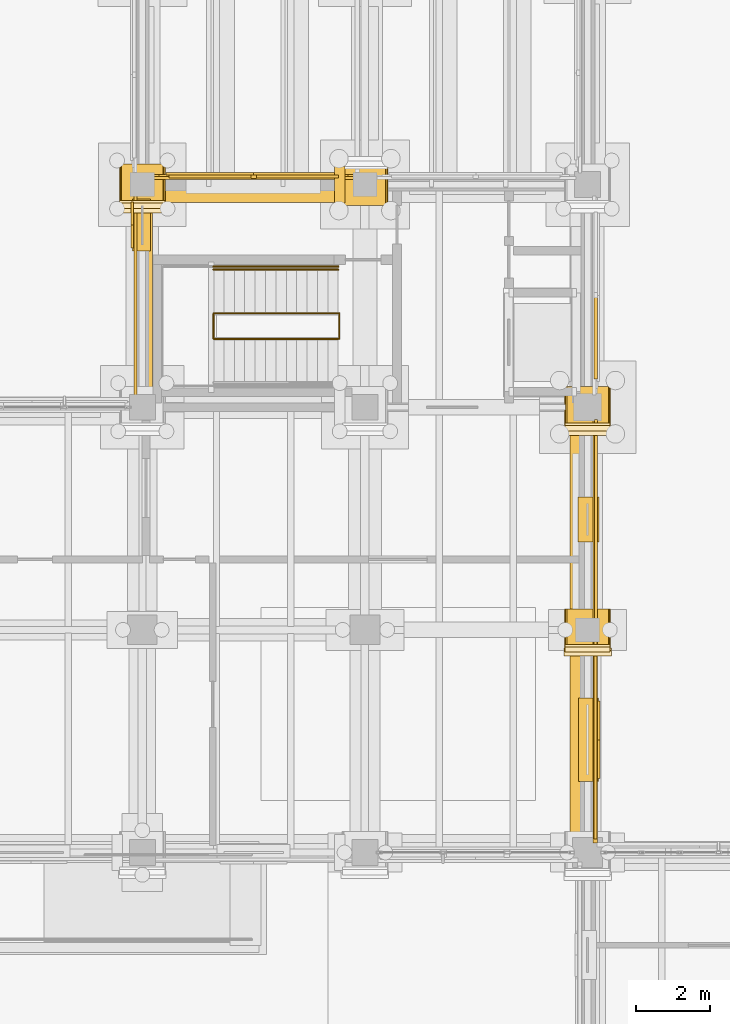
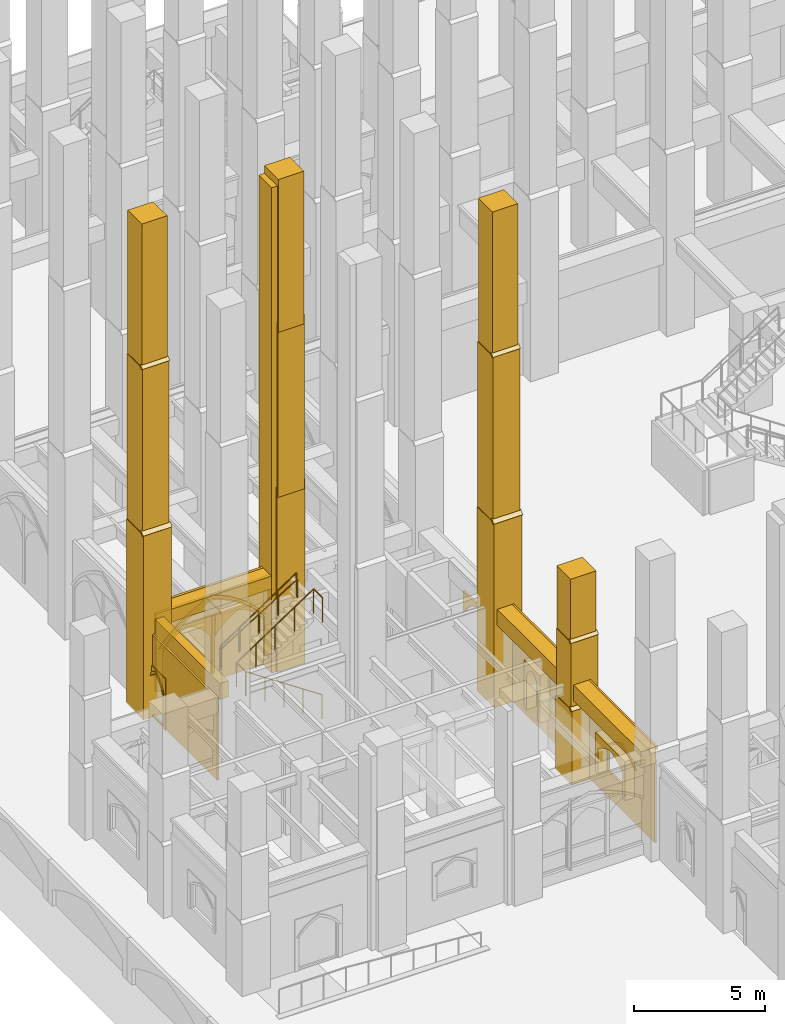
# One storey, part 78 of 135: 41 coverings, 3 railings.
"""IFC4 building model written with IfcOpenShell, lengths in metres."""

from ifc_helpers import new_model, si_unit, direction, frame, origin, origin_2d, place, context, subcontext, project, spatial, polyline, rectangle, circle, outline, extrude, material, type_object, element, save


model = new_model("IFC4")

# Units and contexts
model_context = context("Model", 3, precision=1e-05, world=origin(), true_north=direction((0.0, 1.0)))
body_context = subcontext(model_context, "Body", "Model", "MODEL_VIEW")
ifc_project = project(units=[si_unit("LENGTHUNIT", "METRE"), si_unit("AREAUNIT", "SQUARE_METRE"), si_unit("VOLUMEUNIT", "CUBIC_METRE"), si_unit("PLANEANGLEUNIT", "RADIAN"), si_unit("MASSUNIT", "GRAM", prefix="KILO")], contexts=[model_context])

# Site, building, storey
site_placement = place(None, origin())
site = spatial("IfcSite", under=ifc_project, at=site_placement, CompositionType="ELEMENT")
building_placement = place(site_placement, origin())
building = spatial("IfcBuilding", under=site, at=building_placement, Name="Cumevento Cable Car Station", CompositionType="ELEMENT")
storey_placement = place(building_placement, origin())
storey = spatial("IfcBuildingStorey", under=building, at=storey_placement, Name="L01", CompositionType="ELEMENT", Elevation=0.0)

# Railings
ifc_material_1 = material(Name="Painted Galvanised Architectural Steel", Category="steel")
railing_type_1 = type_object("IfcRailingType", Name="Stair Guardrail GR-S115", PredefinedType="GUARDRAIL", material=ifc_material_1)
railing_1_placement = place(storey_placement, frame((15.280029296875, 28.840087890625, 0.0)))
element("IfcRailing", 1, at=railing_1_placement, inside=storey, type_object=railing_type_1, Name="Stair Well Inner Guardrail ST-03-L01", PredefinedType="GUARDRAIL", context=body_context, shape_type="SweptSolid", body=[
    extrude(circle(Radius=0.02392578125, at=origin_2d()), frame((0.0, 0.0, 1.1259765625), z_axis=(-0.830915400975, 0.0, 0.556398774641), x_axis=(0.0, -1.0, 0.0)), (0.0, 0.0, 1.0), 4.0439453125),
    extrude(circle(Radius=0.02392578125, at=origin_2d()), frame((-3.360107421875, 0.0, 3.3759765625), z_axis=(0.0, 1.0, 0.0), x_axis=(-1.0, 0.0, 0.0)), (0.0, 0.0, 1.0), 0.68994140625),
    extrude(circle(Radius=0.02392578125, at=origin_2d()), frame((-3.360107421875, 0.68994140625, 3.3759765625), z_axis=(0.833193183746, 0.0, 0.552982023722), x_axis=(0.0, 1.0, 0.0)), (0.0, 0.0, 1.0), 4.06884765625),
    extrude(circle(Radius=0.02392578125, at=origin_2d()), frame((0.030029296875, 0.68994140625, 5.6259765625), z_axis=(0.0, -1.0, 0.0), x_axis=(1.0, 0.0, 0.0)), (0.0, 0.0, 1.0), 0.68994140625),
    extrude(circle(Radius=0.02001953125, at=origin_2d()), origin(), (0.0, 0.0, 1.0), 1.101806640625),
    extrude(circle(Radius=0.02001953125, at=origin_2d()), frame((-0.840087890625, 0.0, 0.5625)), (0.0, 0.0, 1.0), 1.101806640625),
    extrude(circle(Radius=0.02001953125, at=origin_2d()), frame((-1.68017578125, 0.0, 1.125)), (0.0, 0.0, 1.0), 1.101806640625),
    extrude(circle(Radius=0.02001953125, at=origin_2d()), frame((-2.52001953125, 0.0, 1.6875)), (0.0, 0.0, 1.0), 1.101806640625),
    extrude(circle(Radius=0.02001953125, at=origin_2d()), frame((-3.360107421875, 0.0, 2.25)), (0.0, 0.0, 1.0), 1.101806640625),
    extrude(circle(Radius=0.02001953125, at=origin_2d()), frame((-3.360107421875, 0.68994140625, 2.25)), (0.0, 0.0, 1.0), 1.101806640625),
    extrude(circle(Radius=0.02001953125, at=origin_2d()), frame((-2.5126953125, 0.68994140625, 2.8125)), (0.0, 0.0, 1.0), 1.101806640625),
    extrude(circle(Radius=0.02001953125, at=origin_2d()), frame((-1.6650390625, 0.68994140625, 3.375)), (0.0, 0.0, 1.0), 1.101806640625),
    extrude(circle(Radius=0.02001953125, at=origin_2d()), frame((-0.8173828125, 0.68994140625, 3.9375)), (0.0, 0.0, 1.0), 1.101806640625),
    extrude(circle(Radius=0.02001953125, at=origin_2d()), frame((0.030029296875, 0.68994140625, 4.5)), (0.0, 0.0, 1.0), 1.101806640625),
    extrude(circle(Radius=0.02001953125, at=origin_2d()), frame((0.030029296875, 0.0, 4.5)), (0.0, 0.0, 1.0), 1.101806640625),
])
railing_2_placement = place(storey_placement, frame((11.919921875, 30.7900390625, 2.25)))
element("IfcRailing", 2, at=railing_2_placement, inside=storey, type_object=railing_type_1, Name="Stair Outer Guardrail ST-03-L01 F2", PredefinedType="GUARDRAIL", context=body_context, shape_type="SweptSolid", body=[
    extrude(circle(Radius=0.02392578125, at=origin_2d()), frame((0.0, 0.0, 1.1259765625), z_axis=(0.830915400975, 0.0, 0.556398774641), x_axis=(0.0, 1.0, 0.0)), (0.0, 0.0, 1.0), 4.0439453125),
    extrude(circle(Radius=0.02001953125, at=origin_2d()), origin(), (0.0, 0.0, 1.0), 1.101806640625),
    extrude(circle(Radius=0.02001953125, at=origin_2d()), frame((0.840087890625, 0.0, 0.5625)), (0.0, 0.0, 1.0), 1.101806640625),
    extrude(circle(Radius=0.02001953125, at=origin_2d()), frame((1.68017578125, 0.0, 1.125)), (0.0, 0.0, 1.0), 1.101806640625),
    extrude(circle(Radius=0.02001953125, at=origin_2d()), frame((2.52001953125, 0.0, 1.6875)), (0.0, 0.0, 1.0), 1.101806640625),
    extrude(circle(Radius=0.02001953125, at=origin_2d()), frame((3.360107421875, 0.0, 2.25)), (0.0, 0.0, 1.0), 1.101806640625),
])
ifc_material_2 = material(Name="Brushed Stainless Steel Handrail Tube", Category="steel")
railing_type_2 = type_object("IfcRailingType", Name="Stair Handrail HR-090", PredefinedType="HANDRAIL", material=ifc_material_2)
railing_3_placement = place(storey_placement, frame((11.919921875, 30.7099609375, 2.42626953125)))
element("IfcRailing", 3, at=railing_3_placement, inside=storey, type_object=railing_type_2, Name="Stair Pitch Handrail ST-03-L01 F2", PredefinedType="HANDRAIL", context=body_context, shape_type="SweptSolid", body=[
    extrude(circle(Radius=0.02099609375, at=origin_2d()), frame((0.0, 0.0, 0.87890625), z_axis=(0.850623216509, 0.0, 0.525775754039), x_axis=(0.0, 1.0, 0.0)), (0.0, 0.0, 1.0), 3.9501953125),
    extrude(circle(Radius=0.01611328125, at=origin_2d()), origin(), (0.0, 0.0, 1.0), 0.85791015625),
    extrude(circle(Radius=0.01611328125, at=origin_2d()), frame((0.840087890625, 0.0, 0.519287109375)), (0.0, 0.0, 1.0), 0.85791015625),
    extrude(circle(Radius=0.01611328125, at=origin_2d()), frame((1.68017578125, 0.0, 1.03857421875)), (0.0, 0.0, 1.0), 0.85791015625),
    extrude(circle(Radius=0.01611328125, at=origin_2d()), frame((2.52001953125, 0.0, 1.5576171875)), (0.0, 0.0, 1.0), 0.85791015625),
    extrude(circle(Radius=0.01611328125, at=origin_2d()), frame((3.360107421875, 0.0, 2.076904296875)), (0.0, 0.0, 1.0), 0.85791015625),
])

# Coverings
ifc_material_3 = material(Name="Gnaisse Facoidal Stone Ashlar 85 MPa", Category="masonry")
covering_type = type_object("IfcCoveringType", Name="Gnaisse Ashlar Cladding CV-CL01", PredefinedType="CLADDING", material=ifc_material_3)
covering_1_placement = place(storey_placement, frame((10.0, 32.909912109375, -0.06005859375), z_axis=(0.0, 0.0, 1.0), x_axis=(1.0, 0.0, 0.0)))
element("IfcCovering", 4, at=covering_1_placement, inside=storey, type_object=covering_type, Name="Stepped Gothic Stone Buttress Tier 1 bt:10.0:33.0", PredefinedType="CLADDING", context=body_context, shape_type="SweptSolid", body=[
    extrude(rectangle(XDim=1.239990234375, YDim=1.300048828125, at=origin_2d()), origin(), (0.0, 0.0, 1.0), 8.595703125),
])
covering_2_placement = place(storey_placement, frame((9.360107421875, 32.239990234375, 8.515625), z_axis=(0.0, -0.711135781079, 0.703054692658), x_axis=(1.0, 0.0, 0.0)))
element("IfcCovering", 5, at=covering_2_placement, inside=storey, type_object=covering_type, Name="Gothic Buttress Sloped Stone Weathering 1 bt:10.0:33.0", PredefinedType="CLADDING", context=body_context, shape_type="SweptSolid", body=[
    extrude(outline(polyline([(0.0, 0.0), (1.27978515625, 0.0), (1.27978515625, 0.24169083397703695), (0.0, 0.24169083397703695), (0.0, 0.0)])), origin(), (0.0, 0.0, -1.0), 0.090087890625),
])
covering_3_placement = place(storey_placement, frame((10.0, 32.969970703125, 8.0830078125), z_axis=(0.0, 0.0, 1.0), x_axis=(1.0, 0.0, 0.0)))
element("IfcCovering", 6, at=covering_3_placement, inside=storey, type_object=covering_type, Name="Stepped Gothic Stone Buttress Tier 2 bt:10.0:33.0", PredefinedType="CLADDING", context=body_context, shape_type="SweptSolid", body=[
    extrude(rectangle(XDim=1.179931640625, YDim=1.179931640625, at=origin_2d()), origin(), (0.0, 0.0, 1.0), 8.143310546875),
])
covering_4_placement = place(storey_placement, frame((9.389892578125, 32.360107421875, 16.206298828125), z_axis=(0.0, -0.714474823669, 0.699661151089), x_axis=(1.0, 0.0, 0.0)))
element("IfcCovering", 7, at=covering_4_placement, inside=storey, type_object=covering_type, Name="Gothic Buttress Sloped Stone Weathering 2 bt:10.0:33.0", PredefinedType="CLADDING", context=body_context, shape_type="SweptSolid", body=[
    extrude(outline(polyline([(0.0, 0.0), (1.22021484375, 0.0), (1.22021484375, 0.21424991728737655), (0.0, 0.21424991728737655), (0.0, 0.0)])), origin(), (0.0, 0.0, -1.0), 0.090087890625),
])
covering_5_placement = place(storey_placement, frame((10.0, 33.02001953125, 15.77392578125), z_axis=(0.0, 0.0, 1.0), x_axis=(1.0, 0.0, 0.0)))
element("IfcCovering", 8, at=covering_5_placement, inside=storey, type_object=covering_type, Name="Stepped Gothic Stone Buttress Tier 3 bt:10.0:33.0", PredefinedType="CLADDING", context=body_context, shape_type="SweptSolid", body=[
    extrude(rectangle(XDim=1.1201171875, YDim=1.080078125, at=origin_2d()), origin(), (0.0, 0.0, 1.0), 7.1259765625),
])
covering_6_placement = place(storey_placement, frame((16.0, 33.090087890625, -0.06005859375), z_axis=(0.0, 0.0, 1.0), x_axis=(-1.0, 0.0, 0.0)))
element("IfcCovering", 9, at=covering_6_placement, inside=storey, type_object=covering_type, Name="Stepped Gothic Stone Buttress Tier 1 bt:16.0:33.0", PredefinedType="CLADDING", context=body_context, shape_type="SweptSolid", body=[
    extrude(rectangle(XDim=1.239990234375, YDim=1.300048828125, at=origin_2d()), origin(), (0.0, 0.0, 1.0), 8.595703125),
])
covering_7_placement = place(storey_placement, frame((16.0, 33.030029296875, 8.0830078125), z_axis=(0.0, 0.0, 1.0), x_axis=(-1.0, 0.0, 0.0)))
element("IfcCovering", 10, at=covering_7_placement, inside=storey, type_object=covering_type, Name="Stepped Gothic Stone Buttress Tier 2 bt:16.0:33.0", PredefinedType="CLADDING", context=body_context, shape_type="SweptSolid", body=[
    extrude(rectangle(XDim=1.179931640625, YDim=1.179931640625, at=origin_2d()), origin(), (0.0, 0.0, 1.0), 8.143310546875),
])
covering_8_placement = place(storey_placement, frame((16.0, 32.97998046875, 15.77392578125), z_axis=(0.0, 0.0, 1.0), x_axis=(-1.0, 0.0, 0.0)))
element("IfcCovering", 11, at=covering_8_placement, inside=storey, type_object=covering_type, Name="Stepped Gothic Stone Buttress Tier 3 bt:16.0:33.0", PredefinedType="CLADDING", context=body_context, shape_type="SweptSolid", body=[
    extrude(rectangle(XDim=1.1201171875, YDim=1.080078125, at=origin_2d()), origin(), (0.0, 0.0, 1.0), 7.1259765625),
])
covering_9_placement = place(storey_placement, frame((15.320068359375, 33.0, -0.06005859375), z_axis=(0.0, 0.0, 1.0), x_axis=(1.0, 0.0, 0.0)))
element("IfcCovering", 12, at=covering_9_placement, inside=storey, type_object=covering_type, Name="Corner Buttress Stone Return (16.0,33.0)", PredefinedType="CLADDING", context=body_context, shape_type="SweptSolid", body=[
    extrude(rectangle(XDim=0.280029296875, YDim=0.97998046875, at=origin_2d()), origin(), (0.0, 0.0, 1.0), 22.6201171875),
])
covering_10_placement = place(storey_placement, frame((22.0, 20.93994140625, -0.06005859375), z_axis=(0.0, 0.0, 1.0), x_axis=(1.0, 0.0, 0.0)))
element("IfcCovering", 13, at=covering_10_placement, inside=storey, type_object=covering_type, Name="Stepped Gothic Stone Buttress Tier 1 bt:22.0:21.0", PredefinedType="CLADDING", context=body_context, shape_type="SweptSolid", body=[
    extrude(rectangle(XDim=1.239990234375, YDim=1.239990234375, at=origin_2d()), origin(), (0.0, 0.0, 1.0), 3.465576171875),
])
covering_11_placement = place(storey_placement, frame((21.360107421875, 20.300048828125, 3.385498046875), z_axis=(0.0, -0.714474823669, 0.699661151089), x_axis=(1.0, 0.0, 0.0)))
element("IfcCovering", 14, at=covering_11_placement, inside=storey, type_object=covering_type, Name="Gothic Buttress Sloped Stone Weathering 1 bt:22.0:21.0", PredefinedType="CLADDING", context=body_context, shape_type="SweptSolid", body=[
    extrude(outline(polyline([(0.0, 0.0), (1.27978515625, 0.0), (1.27978515625, 0.21424991728737658), (0.0, 0.21424991728737658), (0.0, 0.0)])), origin(), (0.0, 0.0, -1.0), 0.090087890625),
])
covering_12_placement = place(storey_placement, frame((22.0, 20.989990234375, 3.22314453125), z_axis=(0.0, 0.0, 1.0), x_axis=(1.0, 0.0, 0.0)))
element("IfcCovering", 15, at=covering_12_placement, inside=storey, type_object=covering_type, Name="Stepped Gothic Stone Buttress Tier 2 bt:22.0:21.0", PredefinedType="CLADDING", context=body_context, shape_type="SweptSolid", body=[
    extrude(rectangle(XDim=1.179931640625, YDim=1.139892578125, at=origin_2d()), origin(), (0.0, 0.0, 1.0), 3.283203125),
])
covering_13_placement = place(storey_placement, frame((21.389892578125, 20.39990234375, 6.486328125), z_axis=(0.0, -0.715574205881, 0.698536724788), x_axis=(1.0, 0.0, 0.0)))
element("IfcCovering", 16, at=covering_13_placement, inside=storey, type_object=covering_type, Name="Gothic Buttress Sloped Stone Weathering 2 bt:22.0:21.0", PredefinedType="CLADDING", context=body_context, shape_type="SweptSolid", body=[
    extrude(outline(polyline([(0.0, 0.0), (1.22021484375, 0.0), (1.22021484375, 0.2006146760464928), (0.0, 0.2006146760464928), (0.0, 0.0)])), origin(), (0.0, 0.0, -1.0), 0.090087890625),
])
covering_14_placement = place(storey_placement, frame((22.0, 21.034912109375, 6.32421875), z_axis=(0.0, 0.0, 1.0), x_axis=(1.0, 0.0, 0.0)))
element("IfcCovering", 17, at=covering_14_placement, inside=storey, type_object=covering_type, Name="Stepped Gothic Stone Buttress Tier 3 bt:22.0:21.0", PredefinedType="CLADDING", context=body_context, shape_type="SweptSolid", body=[
    extrude(rectangle(XDim=1.1201171875, YDim=1.050048828125, at=origin_2d()), origin(), (0.0, 0.0, 1.0), 3.075927734375),
])
covering_15_placement = place(storey_placement, frame((22.0, 26.909912109375, -0.06005859375), z_axis=(0.0, 0.0, 1.0), x_axis=(1.0, 0.0, 0.0)))
element("IfcCovering", 18, at=covering_15_placement, inside=storey, type_object=covering_type, Name="Stepped Gothic Stone Buttress Tier 1 bt:22.0:27.0", PredefinedType="CLADDING", context=body_context, shape_type="SweptSolid", body=[
    extrude(rectangle(XDim=1.239990234375, YDim=1.300048828125, at=origin_2d()), origin(), (0.0, 0.0, 1.0), 8.595703125),
])
covering_16_placement = place(storey_placement, frame((21.360107421875, 26.239990234375, 8.515625), z_axis=(0.0, -0.711135781079, 0.703054692658), x_axis=(1.0, 0.0, 0.0)))
element("IfcCovering", 19, at=covering_16_placement, inside=storey, type_object=covering_type, Name="Gothic Buttress Sloped Stone Weathering 1 bt:22.0:27.0", PredefinedType="CLADDING", context=body_context, shape_type="SweptSolid", body=[
    extrude(outline(polyline([(0.0, 0.0), (1.27978515625, 0.0), (1.27978515625, 0.24169083397703695), (0.0, 0.24169083397703695), (0.0, 0.0)])), origin(), (0.0, 0.0, -1.0), 0.090087890625),
])
covering_17_placement = place(storey_placement, frame((22.0, 26.969970703125, 8.0830078125), z_axis=(0.0, 0.0, 1.0), x_axis=(1.0, 0.0, 0.0)))
element("IfcCovering", 20, at=covering_17_placement, inside=storey, type_object=covering_type, Name="Stepped Gothic Stone Buttress Tier 2 bt:22.0:27.0", PredefinedType="CLADDING", context=body_context, shape_type="SweptSolid", body=[
    extrude(rectangle(XDim=1.179931640625, YDim=1.179931640625, at=origin_2d()), origin(), (0.0, 0.0, 1.0), 8.143310546875),
])
covering_18_placement = place(storey_placement, frame((21.389892578125, 26.360107421875, 16.206298828125), z_axis=(0.0, -0.714474823669, 0.699661151089), x_axis=(1.0, 0.0, 0.0)))
element("IfcCovering", 21, at=covering_18_placement, inside=storey, type_object=covering_type, Name="Gothic Buttress Sloped Stone Weathering 2 bt:22.0:27.0", PredefinedType="CLADDING", context=body_context, shape_type="SweptSolid", body=[
    extrude(outline(polyline([(0.0, 0.0), (1.22021484375, 0.0), (1.22021484375, 0.21424991728737655), (0.0, 0.21424991728737655), (0.0, 0.0)])), origin(), (0.0, 0.0, -1.0), 0.090087890625),
])
covering_19_placement = place(storey_placement, frame((22.0, 27.02001953125, 15.77392578125), z_axis=(0.0, 0.0, 1.0), x_axis=(1.0, 0.0, 0.0)))
element("IfcCovering", 22, at=covering_19_placement, inside=storey, type_object=covering_type, Name="Stepped Gothic Stone Buttress Tier 3 bt:22.0:27.0", PredefinedType="CLADDING", context=body_context, shape_type="SweptSolid", body=[
    extrude(rectangle(XDim=1.1201171875, YDim=1.080078125, at=origin_2d()), origin(), (0.0, 0.0, 1.0), 7.1259765625),
])
covering_20_placement = place(storey_placement, frame((21.85009765625, 18.03759765625, 3.7490234375), z_axis=(0.0, 0.0, 1.0), x_axis=(0.0, -1.0, 0.0)))
element("IfcCovering", 23, at=covering_20_placement, inside=storey, type_object=covering_type, Name="Gothic Stone Spandrel Stringcourse sc:0060", PredefinedType="CLADDING", context=body_context, shape_type="SweptSolid", body=[
    extrude(rectangle(XDim=5.514892578125, YDim=0.659912109375, at=origin_2d()), origin(), (0.0, 0.0, 1.0), 0.7470703125),
])
covering_21_placement = place(storey_placement, frame((22.20751953125, 18.03759765625, 4.365966796875), z_axis=(0.0, 0.0, 1.0), x_axis=(0.0, -1.0, 0.0)))
element("IfcCovering", 24, at=covering_21_placement, inside=storey, type_object=covering_type, Name="Gothic Cornice Dripstone Lip sc:0060", PredefinedType="CLADDING", context=body_context, shape_type="SweptSolid", body=[
    extrude(rectangle(XDim=5.554931640625, YDim=0.114990234375, at=origin_2d()), origin(), (0.0, 0.0, 1.0), 0.1298828125),
])
covering_22_placement = place(storey_placement, frame((21.85009765625, 23.97509765625, 3.737060546875), z_axis=(0.0, 0.0, 1.0), x_axis=(0.0, -1.0, 0.0)))
element("IfcCovering", 25, at=covering_22_placement, inside=storey, type_object=covering_type, Name="Gothic Stone Spandrel Stringcourse sc:0061", PredefinedType="CLADDING", context=body_context, shape_type="SweptSolid", body=[
    extrude(rectangle(XDim=5.5400390625, YDim=0.659912109375, at=origin_2d()), origin(), (0.0, 0.0, 1.0), 0.7470703125),
])
covering_23_placement = place(storey_placement, frame((22.20751953125, 23.97509765625, 4.35400390625), z_axis=(0.0, 0.0, 1.0), x_axis=(0.0, -1.0, 0.0)))
element("IfcCovering", 26, at=covering_23_placement, inside=storey, type_object=covering_type, Name="Gothic Cornice Dripstone Lip sc:0061", PredefinedType="CLADDING", context=body_context, shape_type="SweptSolid", body=[
    extrude(rectangle(XDim=5.580078125, YDim=0.114990234375, at=origin_2d()), origin(), (0.0, 0.0, 1.0), 0.1298828125),
])
covering_24_placement = place(storey_placement, frame((13.0, 32.850830078125, 3.85791015625), z_axis=(0.0, 0.0, 1.0), x_axis=(1.0, 0.0, 0.0)))
element("IfcCovering", 27, at=covering_24_placement, inside=storey, type_object=covering_type, Name="Gothic Stone Spandrel Stringcourse sc:0062", PredefinedType="CLADDING", context=body_context, shape_type="SweptSolid", body=[
    extrude(rectangle(XDim=5.590087890625, YDim=0.66162109375, at=origin_2d()), origin(), (0.0, 0.0, 1.0), 0.592041015625),
])
covering_25_placement = place(storey_placement, frame((13.0, 33.208984375, 4.320068359375), z_axis=(0.0, 0.0, 1.0), x_axis=(1.0, 0.0, 0.0)))
element("IfcCovering", 28, at=covering_25_placement, inside=storey, type_object=covering_type, Name="Gothic Cornice Dripstone Lip sc:0062", PredefinedType="CLADDING", context=body_context, shape_type="SweptSolid", body=[
    extrude(rectangle(XDim=5.6298828125, YDim=0.114990234375, at=origin_2d()), origin(), (0.0, 0.0, 1.0), 0.1298828125),
])
covering_26_placement = place(storey_placement, frame((10.090087890625, 30.012451171875, 3.702880859375), z_axis=(0.0, 0.0, 1.0), x_axis=(0.0, 1.0, 0.0)))
element("IfcCovering", 29, at=covering_26_placement, inside=storey, type_object=covering_type, Name="Gothic Stone Spandrel Stringcourse sc:0064", PredefinedType="CLADDING", context=body_context, shape_type="SweptSolid", body=[
    extrude(rectangle(XDim=5.385009765625, YDim=0.3798828125, at=origin_2d()), origin(), (0.0, 0.0, 1.0), 0.7470703125),
])
covering_27_placement = place(storey_placement, frame((22.0, 20.675048828125, 0.0), z_axis=(0.0, 0.0, 1.0), x_axis=(0.0, -1.0, 0.0)))
element("IfcCovering", 30, at=covering_27_placement, inside=storey, type_object=covering_type, Name="Exterior Gnaisse Stone Wall Ashlar #143", PredefinedType="CLADDING", context=body_context, shape_type="SweptSolid", body=[
    extrude(outline(polyline([(-0.0400390625, -0.02001953125), (5.31494140625, -0.02001953125), (5.31494140625, 3.8291015625), (-0.0400390625, 3.8291015625), (-0.0400390625, -0.02001953125)]), holes=[polyline([(1.697509765625, 1.2099609375), (3.577392578125, 1.2099609375), (3.577392578125, 2.739990234375), (1.697509765625, 2.739990234375), (1.697509765625, 1.2099609375)])]), frame((0.0, 0.25244140625, 0.0), z_axis=(0.0, -1.0, 0.0), x_axis=(1.0, 0.0, 0.0)), (0.0, 0.0, 1.0), 0.0849609375),
])
covering_28_placement = place(storey_placement, frame((22.0, 19.12744140625, 1.14990234375), z_axis=(0.0, 0.0, 1.0), x_axis=(0.0, -1.0, 0.0)))
element("IfcCovering", 31, at=covering_28_placement, inside=storey, type_object=covering_type, Name="Gothic Ogival Pointed-Arch Stone Spandrel op_ogival:0143:1", PredefinedType="CLADDING", context=body_context, shape_type="SweptSolid", body=[
    extrude(outline(polyline([(-0.0400390625, 0.0), (-0.0400390625, 1.820068359375), (2.219970703125, 1.820068359375), (2.219970703125, 0.0), (2.0400390625, 0.0), (2.0400390625, 1.166015625), (1.91796875, 1.2578125), (1.79052734375, 1.34228515625), (1.658203125, 1.418701171875), (1.521484375, 1.48681640625), (1.380859375, 1.546630859375), (1.23681640625, 1.59765625), (1.090087890625, 1.64013671875), (0.943115234375, 1.59765625), (0.799072265625, 1.546630859375), (0.658447265625, 1.48681640625), (0.521728515625, 1.418701171875), (0.389404296875, 1.34228515625), (0.261962890625, 1.2578125), (0.139892578125, 1.166015625), (0.139892578125, 0.0), (-0.0400390625, 0.0)])), frame((0.0, 0.29052734375, 0.0), z_axis=(0.0, -1.0, 0.0), x_axis=(1.0, 0.0, 0.0)), (0.0, 0.0, 1.0), 0.534912109375),
])
covering_29_placement = place(storey_placement, frame((22.0, 19.12744140625, 2.31591796875), z_axis=(0.0, 0.0, 1.0), x_axis=(0.0, -1.0, 0.0)))
element("IfcCovering", 32, at=covering_29_placement, inside=storey, type_object=covering_type, Name="Gothic Pointed Archivolt Hood Moulding op_ogival:0143:1", PredefinedType="CLADDING", context=body_context, shape_type="SweptSolid", body=[
    extrude(outline(polyline([(0.139892578125, 0.0), (0.261962890625, 0.091796875), (0.389404296875, 0.17626953125), (0.521728515625, 0.252685546875), (0.658447265625, 0.32080078125), (0.799072265625, 0.380615234375), (0.943115234375, 0.431640625), (1.090087890625, 0.47412109375), (1.23681640625, 0.431640625), (1.380859375, 0.380615234375), (1.521484375, 0.32080078125), (1.658203125, 0.252685546875), (1.79052734375, 0.17626953125), (1.91796875, 0.091796875), (2.0400390625, 0.0), (2.138916015625, 0.0), (2.00830078125, 0.114990234375), (1.8701171875, 0.220947265625), (1.72509765625, 0.3173828125), (1.57373046875, 0.403564453125), (1.4169921875, 0.479248046875), (1.255615234375, 0.5439453125), (1.090087890625, 0.59765625), (0.92431640625, 0.5439453125), (0.762939453125, 0.479248046875), (0.606201171875, 0.403564453125), (0.454833984375, 0.3173828125), (0.309814453125, 0.220947265625), (0.171630859375, 0.114990234375), (0.041015625, 0.0), (0.139892578125, 0.0)])), frame((0.0, 0.33251953125, 0.0), z_axis=(0.0, -1.0, 0.0), x_axis=(1.0, 0.0, 0.0)), (0.0, 0.0, 1.0), 0.06689453125),
])
covering_30_placement = place(storey_placement, frame((22.0, 26.625, 0.0), z_axis=(0.0, 0.0, 1.0), x_axis=(0.0, -1.0, 0.0)))
element("IfcCovering", 33, at=covering_30_placement, inside=storey, type_object=covering_type, Name="Exterior Gnaisse Stone Wall Ashlar #145", PredefinedType="CLADDING", context=body_context, shape_type="SweptSolid", body=[
    extrude(outline(polyline([(-0.0400390625, -0.02001953125), (5.340087890625, -0.02001953125), (5.340087890625, 3.81689453125), (-0.0400390625, 3.81689453125), (-0.0400390625, -0.02001953125)]), holes=[polyline([(2.235107421875, 0.909912109375), (3.06494140625, 0.909912109375), (3.06494140625, 2.840087890625), (2.235107421875, 2.840087890625), (2.235107421875, 0.909912109375)])]), frame((0.0, 0.27001953125, 0.0), z_axis=(0.0, -1.0, 0.0), x_axis=(1.0, 0.0, 0.0)), (0.0, 0.0, 1.0), 0.0849609375),
])
covering_31_placement = place(storey_placement, frame((22.0, 24.5400390625, 0.85009765625), z_axis=(0.0, 0.0, 1.0), x_axis=(0.0, -1.0, 0.0)))
element("IfcCovering", 34, at=covering_31_placement, inside=storey, type_object=covering_type, Name="Gothic Ogival Pointed-Arch Stone Spandrel op_ogival:0145:1", PredefinedType="CLADDING", context=body_context, shape_type="SweptSolid", body=[
    extrude(outline(polyline([(-0.0400390625, 0.0), (-0.0400390625, 2.219970703125), (1.169921875, 2.219970703125), (1.169921875, 0.0), (0.989990234375, 0.0), (0.989990234375, 1.4541015625), (0.97998046875, 1.56396484375), (0.95068359375, 1.67041015625), (0.90283203125, 1.77001953125), (0.838134765625, 1.859375), (0.75830078125, 1.935302734375), (0.666259765625, 1.99658203125), (0.56494140625, 2.039794921875), (0.463623046875, 1.99658203125), (0.37158203125, 1.935302734375), (0.291748046875, 1.859375), (0.22705078125, 1.77001953125), (0.17919921875, 1.67041015625), (0.14990234375, 1.56396484375), (0.139892578125, 1.4541015625), (0.139892578125, 0.0), (-0.0400390625, 0.0)])), frame((0.0, 0.30810546875, 0.0), z_axis=(0.0, -1.0, 0.0), x_axis=(1.0, 0.0, 0.0)), (0.0, 0.0, 1.0), 0.570068359375),
])
covering_32_placement = place(storey_placement, frame((10.324951171875, 33.0, 0.0), z_axis=(0.0, 0.0, 1.0), x_axis=(1.0, 0.0, 0.0)))
element("IfcCovering", 35, at=covering_32_placement, inside=storey, type_object=covering_type, Name="Exterior Gnaisse Stone Wall Ashlar #146", PredefinedType="CLADDING", context=body_context, shape_type="SweptSolid", body=[
    extrude(outline(polyline([(-0.0400390625, -0.02001953125), (5.389892578125, -0.02001953125), (5.389892578125, 3.93798828125), (-0.0400390625, 3.93798828125), (-0.0400390625, -0.02001953125)])), frame((0.0, 0.222412109375, 0.0), z_axis=(0.0, -1.0, 0.0), x_axis=(1.0, 0.0, 0.0)), (0.0, 0.0, 1.0), 0.0849609375),
])
placement = place(storey_placement, frame((10.5048828125, 33.0, 0.300048828125), z_axis=(0.0, 0.0, 1.0), x_axis=(1.0, 0.0, 0.0)))
element("IfcCovering", 36, at=placement, inside=storey, type_object=covering_type, Name="Gothic Ogival Pointed-Arch Stone Spandrel blind_ogival:0146", PredefinedType="CLADDING", context=body_context, shape_type="SweptSolid", body=[
    extrude(outline(polyline([(-0.050048828125, 0.0), (-0.050048828125, 3.657958984375), (5.0400390625, 3.657958984375), (5.0400390625, 0.0), (4.72998046875, 0.0), (4.72998046875, 1.89404296875), (4.468505859375, 2.1875), (4.1845703125, 2.459228515625), (3.8798828125, 2.70751953125), (3.556640625, 2.930908203125), (3.216552734375, 3.1279296875), (2.862060546875, 3.297119140625), (2.4951171875, 3.43798828125), (2.1279296875, 3.297119140625), (1.7734375, 3.1279296875), (1.433349609375, 2.930908203125), (1.110107421875, 2.70751953125), (0.805419921875, 2.459228515625), (0.521484375, 2.1875), (0.260009765625, 1.89404296875), (0.260009765625, 0.0), (-0.050048828125, 0.0)])), frame((0.0, 0.277587890625, 0.0), z_axis=(0.0, -1.0, 0.0), x_axis=(1.0, 0.0, 0.0)), (0.0, 0.0, 1.0), 0.110107421875),
])
covering_34_placement = place(storey_placement, frame((10.5048828125, 33.0, 2.194091796875), z_axis=(0.0, 0.0, 1.0), x_axis=(1.0, 0.0, 0.0)))
element("IfcCovering", 37, at=covering_34_placement, inside=storey, type_object=covering_type, Name="Gothic Pointed Archivolt Hood Moulding blind_ogival:0146", PredefinedType="CLADDING", context=body_context, shape_type="SweptSolid", body=[
    extrude(outline(polyline([(0.260009765625, 0.0), (0.521484375, 0.29345703125), (0.805419921875, 0.565185546875), (1.110107421875, 0.8134765625), (1.433349609375, 1.036865234375), (1.7734375, 1.23388671875), (2.1279296875, 1.403076171875), (2.4951171875, 1.5439453125), (2.862060546875, 1.403076171875), (3.216552734375, 1.23388671875), (3.556640625, 1.036865234375), (3.8798828125, 0.8134765625), (4.1845703125, 0.565185546875), (4.468505859375, 0.29345703125), (4.72998046875, 0.0), (4.85107421875, 0.0), (4.579833984375, 0.321044921875), (4.283447265625, 0.618896484375), (3.96337890625, 0.8916015625), (3.622314453125, 1.136962890625), (3.26220703125, 1.353759765625), (2.885498046875, 1.5400390625), (2.4951171875, 1.695068359375), (2.1044921875, 1.5400390625), (1.727783203125, 1.353759765625), (1.36767578125, 1.136962890625), (1.026611328125, 0.8916015625), (0.70654296875, 0.618896484375), (0.41015625, 0.321044921875), (0.138916015625, 0.0), (0.260009765625, 0.0)])), frame((0.0, 0.319580078125, 0.0), z_axis=(0.0, -1.0, 0.0), x_axis=(1.0, 0.0, 0.0)), (0.0, 0.0, 1.0), 0.06689453125),
])
element("IfcCovering", 38, at=placement, inside=storey, type_object=covering_type, Name="Gothic Bifora Stone Colonnette blind_ogival:0146 #1", PredefinedType="CLADDING", context=body_context, shape_type="SweptSolid", body=[
    extrude(outline(polyline([(2.419921875, -0.02001953125), (2.570068359375, -0.02001953125), (2.570068359375, 2.697021484375), (2.419921875, 2.697021484375), (2.419921875, -0.02001953125)])), frame((0.0, 0.265380859375, 0.0), z_axis=(0.0, -1.0, 0.0), x_axis=(1.0, 0.0, 0.0)), (0.0, 0.0, 1.0), 0.094970703125),
])
for number, where, z_axis, x_axis, name in (
    (39, (10.735107421875, 33.0, 2.01416015625), (0.0, 0.0, 1.0), (1.0, 0.0, 0.0), "Gothic Ogival Pointed-Arch Stone Spandrel blind_ogival:0146:sub:0"),
    (40, (13.044921875, 33.0, 2.01416015625), (0.0, 0.0, 1.0), (1.0, 0.0, 0.0), "Gothic Ogival Pointed-Arch Stone Spandrel blind_ogival:0146:sub:1"),
):
    element("IfcCovering", number, at=place(storey_placement, frame(where, z_axis=z_axis, x_axis=x_axis)), inside=storey, type_object=covering_type, Name=name, PredefinedType="CLADDING", context=body_context, shape_type="SweptSolid", body=[
        extrude(outline(polyline([(-0.02001953125, 0.0), (-0.02001953125, 0.98291015625), (2.239990234375, 0.98291015625), (2.239990234375, 0.0), (2.179931640625, 0.0), (2.04248046875, 0.187744140625), (1.88623046875, 0.3603515625), (1.712890625, 0.515625), (1.5244140625, 0.652099609375), (1.32275390625, 0.768310546875), (1.110107421875, 0.86279296875), (0.897216796875, 0.768310546875), (0.695556640625, 0.652099609375), (0.507080078125, 0.515625), (0.333740234375, 0.3603515625), (0.177490234375, 0.187744140625), (0.0400390625, 0.0), (-0.02001953125, 0.0)])), frame((0.0, 0.261474609375, 0.0), z_axis=(0.0, -1.0, 0.0), x_axis=(1.0, 0.0, 0.0)), (0.0, 0.0, 1.0), 0.090087890625),
    ])
covering_36_placement = place(storey_placement, frame((10.0, 27.35009765625, 0.0), z_axis=(0.0, 0.0, 1.0), x_axis=(0.0, 1.0, 0.0)))
element("IfcCovering", 41, at=covering_36_placement, inside=storey, type_object=covering_type, Name="Exterior Gnaisse Stone Wall Ashlar #148", PredefinedType="CLADDING", context=body_context, shape_type="SweptSolid", body=[
    extrude(outline(polyline([(-0.0400390625, -0.02001953125), (5.364990234375, -0.02001953125), (5.364990234375, 3.782958984375), (-0.0400390625, 3.782958984375), (-0.0400390625, -0.02001953125)]), holes=[polyline([(4.044921875, 0.02001953125), (5.074951171875, 0.02001953125), (5.074951171875, 2.1298828125), (4.044921875, 2.1298828125), (4.044921875, 0.02001953125)])]), frame((0.0, 0.222412109375, 0.0), z_axis=(0.0, -1.0, 0.0), x_axis=(1.0, 0.0, 0.0)), (0.0, 0.0, 1.0), 0.0849609375),
])
covering_37_placement = place(storey_placement, frame((10.0, 31.2451171875, -0.050048828125), z_axis=(0.0, 0.0, 1.0), x_axis=(0.0, 1.0, 0.0)))
element("IfcCovering", 42, at=covering_37_placement, inside=storey, type_object=covering_type, Name="Gothic Ogival Pointed-Arch Stone Spandrel op_ogival:0148:1", PredefinedType="CLADDING", context=body_context, shape_type="SweptSolid", body=[
    extrude(outline(polyline([(-0.0400390625, 0.0), (-0.0400390625, 2.409912109375), (1.3701171875, 2.409912109375), (1.3701171875, 0.0), (1.18994140625, 0.0), (1.18994140625, 1.5908203125), (1.149658203125, 1.705322265625), (1.09619140625, 1.814453125), (1.030517578125, 1.91650390625), (0.95361328125, 2.01025390625), (0.8662109375, 2.094482421875), (0.76953125, 2.168212890625), (0.6650390625, 2.22998046875), (0.560546875, 2.168212890625), (0.4638671875, 2.094482421875), (0.37646484375, 2.01025390625), (0.299560546875, 1.91650390625), (0.23388671875, 1.814453125), (0.180419921875, 1.705322265625), (0.139892578125, 1.5908203125), (0.139892578125, 0.0), (-0.0400390625, 0.0)])), frame((0.0, 0.260498046875, 0.0), z_axis=(0.0, -1.0, 0.0), x_axis=(1.0, 0.0, 0.0)), (0.0, 0.0, 1.0), 0.47509765625),
])
covering_38_placement = place(storey_placement, frame((10.0, 31.2451171875, 1.540771484375), z_axis=(0.0, 0.0, 1.0), x_axis=(0.0, 1.0, 0.0)))
element("IfcCovering", 43, at=covering_38_placement, inside=storey, type_object=covering_type, Name="Gothic Pointed Archivolt Hood Moulding op_ogival:0148:1", PredefinedType="CLADDING", context=body_context, shape_type="SweptSolid", body=[
    extrude(outline(polyline([(0.139892578125, 0.0), (0.180419921875, 0.114501953125), (0.23388671875, 0.2236328125), (0.299560546875, 0.32568359375), (0.37646484375, 0.41943359375), (0.4638671875, 0.503662109375), (0.560546875, 0.577392578125), (0.6650390625, 0.63916015625), (0.76953125, 0.577392578125), (0.8662109375, 0.503662109375), (0.95361328125, 0.41943359375), (1.030517578125, 0.32568359375), (1.09619140625, 0.2236328125), (1.149658203125, 0.114501953125), (1.18994140625, 0.0), (1.2890625, 0.0), (1.2412109375, 0.136474609375), (1.177978515625, 0.2666015625), (1.10009765625, 0.388671875), (1.00830078125, 0.50048828125), (0.904541015625, 0.60107421875), (0.78955078125, 0.68896484375), (0.6650390625, 0.762939453125), (0.54052734375, 0.68896484375), (0.425537109375, 0.60107421875), (0.32177734375, 0.50048828125), (0.22998046875, 0.388671875), (0.152099609375, 0.2666015625), (0.0888671875, 0.136474609375), (0.041015625, 0.0), (0.139892578125, 0.0)])), frame((0.0, 0.302490234375, 0.0), z_axis=(0.0, -1.0, 0.0), x_axis=(1.0, 0.0, 0.0)), (0.0, 0.0, 1.0), 0.06689453125),
])
covering_39_placement = place(storey_placement, frame((22.0, 29.967529296875, 1.92724609375), z_axis=(0.0, 0.0, 1.0), x_axis=(0.0, -1.0, 0.0)))
element("IfcCovering", 44, at=covering_39_placement, inside=storey, type_object=covering_type, Name="Gothic Ogival Pointed-Arch Stone Spandrel blind_ogival:0149:sub:1", PredefinedType="CLADDING", context=body_context, shape_type="SweptSolid", body=[
    extrude(outline(polyline([(-0.02001953125, 0.0), (-0.02001953125, 0.947509765625), (2.202392578125, 0.947509765625), (2.202392578125, 0.0), (2.142578125, 0.0), (2.005859375, 0.180419921875), (1.8515625, 0.345947265625), (1.680908203125, 0.494873046875), (1.49609375, 0.625732421875), (1.298828125, 0.73681640625), (1.09130859375, 0.827392578125), (0.8837890625, 0.73681640625), (0.6865234375, 0.625732421875), (0.501708984375, 0.494873046875), (0.3310546875, 0.345947265625), (0.1767578125, 0.180419921875), (0.0400390625, 0.0), (-0.02001953125, 0.0)])), frame((0.0, 0.261474609375, 0.0), z_axis=(0.0, -1.0, 0.0), x_axis=(1.0, 0.0, 0.0)), (0.0, 0.0, 1.0), 0.090087890625),
])

save(model, "model.ifc")
